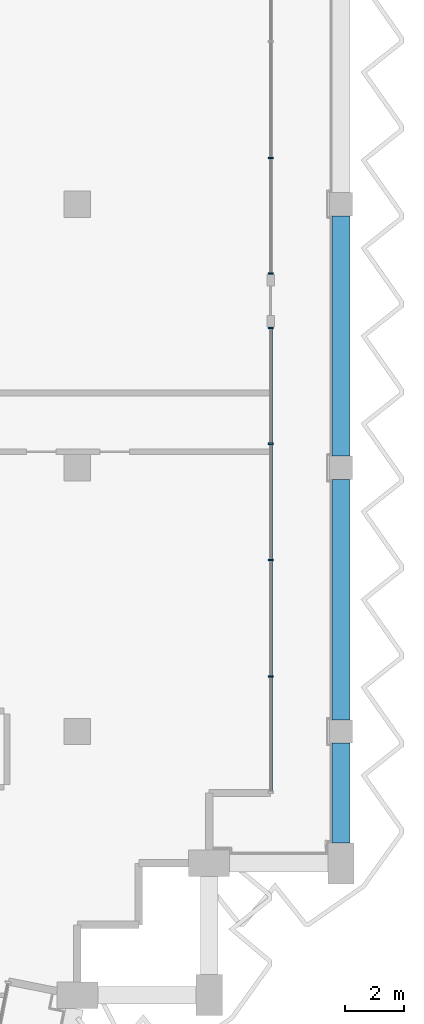
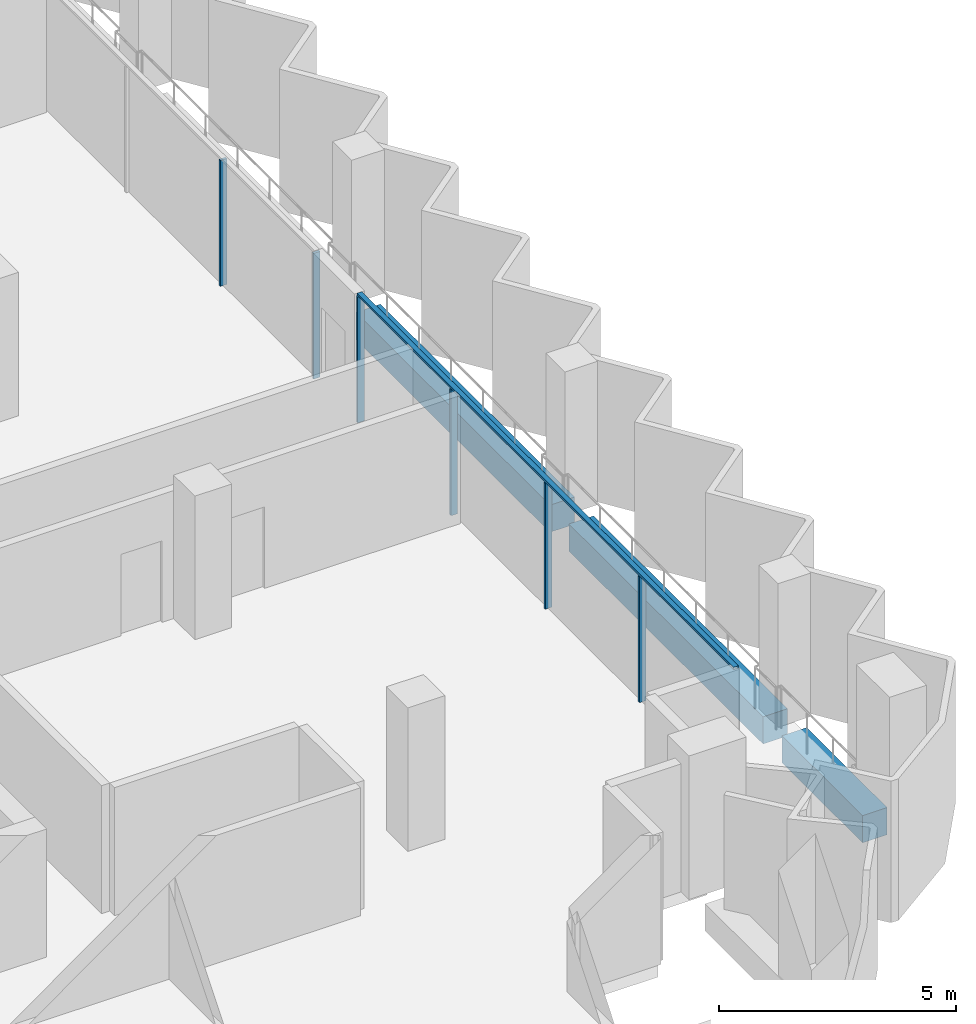
# One storey, part 4 of 14: 7 members, 3 beams, 2 elements without a shape of their own.
"""IFC4 building model written with IfcOpenShell, lengths in metres."""

import ifcopenshell
import ifcopenshell.guid

model = None  # the IFC model being written
_history = None  # IfcOwnerHistory: only IFC2X3 demands one
_inside = {}  # id of a spatial element -> (the spatial element, [elements in it])
_under = {}  # id of a project, library or spatial element -> (it, [spatial elements below it])
_declared = {}  # id of a project -> (the project, [libraries it declares])
_typed = {}  # id of a type object -> (the type object, [elements of that type])
_made_of = {}  # id of a material, layer set ... -> (it, [elements and type objects made of it])


def new_model(schema):
    """Start an empty IFC model of exactly this schema.

    Asked for "IFC4X3", IfcOpenShell would pick the latest addendum, in which some entities
    have other attributes; the version numbers below select the first issue.
    IFC2X3 requires an IfcOwnerHistory on every rooted entity: one is made here for all.
    """
    global model, _history
    if schema == "IFC4X3":
        model = ifcopenshell.file(schema_version=(4, 3, 0, 0))
    else:
        model = ifcopenshell.file(schema=schema)
    _inside.clear()
    _under.clear()
    _declared.clear()
    _typed.clear()
    _made_of.clear()
    _history = None
    if model.schema == "IFC2X3":
        org = make("IfcOrganization", Name="unknown")
        user = make(
            "IfcPersonAndOrganization",
            ThePerson=make("IfcPerson", FamilyName="unknown"),
            TheOrganization=org,
        )
        app = make(
            "IfcApplication",
            ApplicationDeveloper=org,
            Version="unknown",
            ApplicationFullName="unknown",
            ApplicationIdentifier="unknown",
        )
        _history = make(
            "IfcOwnerHistory",
            OwningUser=user,
            OwningApplication=app,
            ChangeAction="ADDED",
            CreationDate=0,
        )
    return model


def make(cls, **values):
    """One entity of the class cls with the attributes given. An attribute that is None is left unset."""
    return model.create_entity(
        cls, **{name: value for name, value in values.items() if value is not None}
    )


def rooted(cls, **values):
    """An entity with a GlobalId (a new one), such as an element, a storey or a relation."""
    return make(cls, GlobalId=ifcopenshell.guid.new(), OwnerHistory=_history, **values)


def si_unit(unit_type, name, prefix=None):
    """IfcSIUnit, for example si_unit("LENGTHUNIT", "METRE", prefix="MILLI")."""
    return make("IfcSIUnit", UnitType=unit_type, Prefix=prefix, Name=name)


def assignment(units):
    """IfcUnitAssignment: the units of a project."""
    return None if units is None else make("IfcUnitAssignment", Units=units)


def point(xyz):
    """IfcCartesianPoint."""
    return None if xyz is None else make("IfcCartesianPoint", Coordinates=xyz)


def direction(xyz):
    """IfcDirection."""
    return None if xyz is None else make("IfcDirection", DirectionRatios=xyz)


def frame(location, z_axis=None, x_axis=None):
    """IfcAxis2Placement3D, a coordinate frame: its origin and axes. An axis left out is left unset."""
    return make(
        "IfcAxis2Placement3D",
        Location=point(location),
        Axis=direction(z_axis),
        RefDirection=direction(x_axis),
    )


def frame_2d(location, x_axis=None):
    """IfcAxis2Placement2D, a coordinate frame in the plane: its origin and x axis."""
    return make(
        "IfcAxis2Placement2D", Location=point(location), RefDirection=direction(x_axis)
    )


def origin():
    """The frame at (0, 0, 0) with its axes left unset."""
    return frame((0.0, 0.0, 0.0))


def origin_2d():
    """The frame at (0, 0) in the plane with its x axis left unset."""
    return frame_2d((0.0, 0.0))


def place(relative_to, where):
    """IfcLocalPlacement: puts the frame where relative to a parent placement (None: the world)."""
    return make(
        "IfcLocalPlacement", PlacementRelTo=relative_to, RelativePlacement=where
    )


def context(
    kind, dimensions, precision=None, world=None, true_north=None, identifier=None
):
    """IfcGeometricRepresentationContext, for example the 3D "Model" context."""
    return make(
        "IfcGeometricRepresentationContext",
        ContextIdentifier=identifier,
        ContextType=kind,
        CoordinateSpaceDimension=dimensions,
        Precision=precision,
        WorldCoordinateSystem=world,
        TrueNorth=true_north,
    )


def subcontext(parent, identifier, kind, view, scale=None):
    """IfcGeometricRepresentationSubContext, for example "Body" below "Model"."""
    return make(
        "IfcGeometricRepresentationSubContext",
        ContextIdentifier=identifier,
        ContextType=kind,
        ParentContext=parent,
        TargetScale=scale,
        TargetView=view,
    )


def project(units=None, contexts=None):
    """IfcProject with its units and contexts."""
    return rooted(
        "IfcProject",
        Name="project",
        RepresentationContexts=contexts,
        UnitsInContext=assignment(units),
    )


def spatial(cls, under=None, at=None, **own):
    """A site, building, storey or space (cls), placed at a placement, below another one or the project."""
    s = rooted(cls, ObjectPlacement=at, **own)
    if under is not None:
        _under.setdefault(under.id(), (under, []))[1].append(s)
    return s


def profile(cls, at=None, kind="AREA", **sizes):
    """A parametric profile (cls). Its sizes go by their IFC names, for example OverallWidth=200.0."""
    return make(cls, ProfileType=kind, Position=at, **sizes)


def rectangle(**sizes):
    """IfcRectangleProfileDef."""
    return profile("IfcRectangleProfileDef", **sizes)


def extrude(swept, where, along, depth):
    """IfcExtrudedAreaSolid: the profile swept, set in the frame where, extruded along a direction by depth."""
    return make(
        "IfcExtrudedAreaSolid",
        SweptArea=swept,
        Position=where,
        ExtrudedDirection=direction(along),
        Depth=depth,
    )


def shape(context_of_items, identifier, shape_type, items):
    """IfcShapeRepresentation: the items that make up one representation, for example the "Body"."""
    return make(
        "IfcShapeRepresentation",
        ContextOfItems=context_of_items,
        RepresentationIdentifier=identifier,
        RepresentationType=shape_type,
        Items=items,
    )


def material(Name=None, Category=None):
    """IfcMaterial."""
    return make("IfcMaterial", Name=Name, Category=Category)


def material_profile(
    of_material, cross_section, Name=None, Category=None, Priority=None
):
    """IfcMaterialProfile: a cross section and its material."""
    return make(
        "IfcMaterialProfile",
        Name=Name,
        Material=of_material,
        Profile=cross_section,
        Priority=Priority,
        Category=Category,
    )


def profile_set(profiles, Name=None, composite=None):
    """IfcMaterialProfileSet."""
    return make(
        "IfcMaterialProfileSet",
        Name=Name,
        MaterialProfiles=profiles,
        CompositeProfile=composite,
    )


def made_of(thing, what):
    """Note that an element or type object is made of a material, layer set ...; save() writes the relation."""
    if what is not None:
        _made_of.setdefault(what.id(), (what, []))[1].append(thing)
    return thing


def type_object(cls, material=None, **own):
    """A type object (cls), such as IfcWallType, which elements share."""
    return made_of(rooted(cls, **own), material)


def element(
    cls,
    number,
    at=None,
    inside=None,
    cuts=None,
    type_object=None,
    material=None,
    context=None,
    identifier="Body",
    shape_type=None,
    held_by="IfcProductDefinitionShape",
    body=None,
    shapes=None,
    **own,
):
    """One element of the class cls, such as IfcWall. Its Tag is "e" and its number.

    at: its placement. inside: the storey or other place that contains it. cuts: it is an
    opening in that element (IfcRelVoidsElement). A single representation is given by context,
    identifier, shape_type and body (its items); several are given by shapes. held_by: the class
    of the entity that holds the representations. save() writes the other relations.
    """
    e = rooted(cls, Tag="e%d" % number, ObjectPlacement=at, **own)
    if body is not None:
        shapes = [shape(context, identifier, shape_type, body)]
    if shapes is not None:
        e.Representation = make(held_by, Representations=shapes)
    if inside is not None:
        _inside.setdefault(inside.id(), (inside, []))[1].append(e)
    if cuts is not None:
        rooted(
            "IfcRelVoidsElement", RelatingBuildingElement=cuts, RelatedOpeningElement=e
        )
    if type_object is not None:
        _typed.setdefault(type_object.id(), (type_object, []))[1].append(e)
    return made_of(e, material)


def aggregate(whole, parts):
    """IfcRelAggregates: a whole, such as a stair, and the parts it consists of."""
    return rooted("IfcRelAggregates", RelatingObject=whole, RelatedObjects=parts)


def save(model, path):
    """Write the relations noted so far, then the file.

    IfcRelAggregates (storeys below a building ...), IfcRelContainedInSpatialStructure (elements
    in a storey), IfcRelDefinesByType, IfcRelAssociatesMaterial and IfcRelDeclares: one each for
    every whole, place, type object, material and project.
    """
    for whole, parts in _under.values():
        aggregate(whole, parts)
    for where, things in _inside.values():
        rooted(
            "IfcRelContainedInSpatialStructure",
            RelatedElements=things,
            RelatingStructure=where,
        )
    for kind, things in _typed.values():
        rooted("IfcRelDefinesByType", RelatedObjects=things, RelatingType=kind)
    for what, things in _made_of.values():
        rooted("IfcRelAssociatesMaterial", RelatedObjects=things, RelatingMaterial=what)
    for by, libraries in _declared.values():
        rooted("IfcRelDeclares", RelatingContext=by, RelatedDefinitions=libraries)
    model.write(path)


model = new_model("IFC4")

# Units and contexts
model_context = context("Model", 3, precision=1e-05, world=origin(), true_north=direction((0.0, 1.0)))
body_context = subcontext(model_context, "Body", "Model", "MODEL_VIEW")
ifc_project = project(units=[si_unit("LENGTHUNIT", "METRE"), si_unit("AREAUNIT", "SQUARE_METRE"), si_unit("VOLUMEUNIT", "CUBIC_METRE"), si_unit("PLANEANGLEUNIT", "RADIAN"), si_unit("MASSUNIT", "GRAM", prefix="KILO")], contexts=[model_context])

# Site, building, storey
site_placement = place(None, origin())
site = spatial("IfcSite", under=ifc_project, at=site_placement, CompositionType="ELEMENT")
building_placement = place(site_placement, origin())
building = spatial("IfcBuilding", under=site, at=building_placement, Name="Hunhe Ridgeline Campus", CompositionType="ELEMENT")
storey_placement = place(building_placement, frame((0.0, 0.0, 295.60009765625)))
storey = spatial("IfcBuildingStorey", under=building, at=storey_placement, Name="L76", CompositionType="ELEMENT", Elevation=295.60009765625)

# Curtain wall, members
ifc_material_1 = material(Name="Aluminium 6063", Category="aluminium")
curtain_wall_type = type_object("IfcCurtainWallType", Name="Curtain wall CW-1", PredefinedType="NOTDEFINED", material=ifc_material_1)
curtain_wall_1_placement = place(storey_placement, origin())
curtain_wall_1 = element("IfcCurtainWall", 1, at=curtain_wall_1_placement, inside=storey, type_object=curtain_wall_type, Name="Curtain wall 11", PredefinedType="NOTDEFINED")
ifc_material_profile_1 = material_profile(ifc_material_1, rectangle(XDim=0.159912109375, YDim=0.06005859375, at=origin_2d()))
ifc_profile_set_1 = profile_set([ifc_material_profile_1], Name="Aluminium 6063")
member_type_1 = type_object("IfcMemberType", Name="CW-1 aluminium mullion", PredefinedType="MULLION", material=ifc_profile_set_1)
member_1_placement = place(storey_placement, frame((51.59912109375, 64.8759765625, 0.0), z_axis=(0.0, 0.0, 1.0), x_axis=(-1.0, 0.0, 0.0)))
member_1 = element("IfcMember", 2, at=member_1_placement, type_object=member_type_1, Name="CW-1 mullion 2", PredefinedType="MULLION", context=body_context, shape_type="SweptSolid", body=[
    extrude(rectangle(XDim=0.159912109375, YDim=0.06005859375, at=origin_2d()), origin(), (0.0, 0.0, 1.0), 3.239990234375),
])
member_2_placement = place(storey_placement, frame((51.59912109375, 68.850830078125, 0.0), z_axis=(0.0, 0.0, 1.0), x_axis=(-1.0, 0.0, 0.0)))
member_2 = element("IfcMember", 3, at=member_2_placement, type_object=member_type_1, Name="CW-1 mullion 3", PredefinedType="MULLION", context=body_context, shape_type="SweptSolid", body=[
    extrude(rectangle(XDim=0.159912109375, YDim=0.06005859375, at=origin_2d()), origin(), (0.0, 0.0, 1.0), 3.239990234375),
])
member_3_placement = place(storey_placement, frame((51.59912109375, 72.82568359375, 0.0), z_axis=(0.0, 0.0, 1.0), x_axis=(-1.0, 0.0, 0.0)))
member_3 = element("IfcMember", 4, at=member_3_placement, type_object=member_type_1, Name="CW-1 mullion 4", PredefinedType="MULLION", context=body_context, shape_type="SweptSolid", body=[
    extrude(rectangle(XDim=0.159912109375, YDim=0.06005859375, at=origin_2d()), origin(), (0.0, 0.0, 1.0), 3.239990234375),
])
member_4_placement = place(storey_placement, frame((51.59912109375, 76.7705078125, 0.0), z_axis=(0.0, 0.0, 1.0), x_axis=(-1.0, 0.0, 0.0)))
member_4 = element("IfcMember", 5, at=member_4_placement, type_object=member_type_1, Name="CW-1 mullion 5", PredefinedType="MULLION", context=body_context, shape_type="SweptSolid", body=[
    extrude(rectangle(XDim=0.159912109375, YDim=0.06005859375, at=origin_2d()), origin(), (0.0, 0.0, 1.0), 3.239990234375),
])

curtain_wall_2_placement = place(storey_placement, origin())
curtain_wall_2 = element("IfcCurtainWall", 6, at=curtain_wall_2_placement, inside=storey, type_object=curtain_wall_type, Name="Curtain wall 12", PredefinedType="NOTDEFINED")
member_5_placement = place(storey_placement, frame((51.59912109375, 78.630615234375, 0.0), z_axis=(0.0, 0.0, 1.0), x_axis=(-1.0, 0.0, 0.0)))
member_5 = element("IfcMember", 7, at=member_5_placement, type_object=member_type_1, Name="CW-1 mullion 1", PredefinedType="MULLION", context=body_context, shape_type="SweptSolid", body=[
    extrude(rectangle(XDim=0.159912109375, YDim=0.06005859375, at=origin_2d()), origin(), (0.0, 0.0, 1.0), 3.239990234375),
])
member_6_placement = place(storey_placement, frame((51.59912109375, 82.575439453125, 0.0), z_axis=(0.0, 0.0, 1.0), x_axis=(-1.0, 0.0, 0.0)))
member_6 = element("IfcMember", 8, at=member_6_placement, type_object=member_type_1, Name="CW-1 mullion 2", PredefinedType="MULLION", context=body_context, shape_type="SweptSolid", body=[
    extrude(rectangle(XDim=0.159912109375, YDim=0.06005859375, at=origin_2d()), origin(), (0.0, 0.0, 1.0), 3.239990234375),
])
aggregate(curtain_wall_2, [member_5, member_6])

# Member
ifc_material_profile_2 = material_profile(ifc_material_1, rectangle(XDim=0.1201171875, YDim=0.06005859375, at=origin_2d()))
ifc_profile_set_2 = profile_set([ifc_material_profile_2], Name="Aluminium 6063")
member_type_2 = type_object("IfcMemberType", Name="CW-1 aluminium transom", PredefinedType="USERDEFINED", material=ifc_profile_set_2)
member_7_placement = place(storey_placement, frame((51.59912109375, 60.90087890625, 3.27001953125), z_axis=(0.0, 1.0, 0.0), x_axis=(-1.0, 0.0, 0.0)))
member_7 = element("IfcMember", 9, at=member_7_placement, type_object=member_type_2, Name="CW-1 transom 1", ObjectType="TRANSOM", PredefinedType="USERDEFINED", context=body_context, shape_type="SweptSolid", body=[
    extrude(rectangle(XDim=0.1201171875, YDim=0.06005859375, at=origin_2d()), origin(), (0.0, 0.0, 1.0), 15.899658203125),
])

aggregate(curtain_wall_1, [member_7, member_1, member_2, member_3, member_4])

# Beams
ifc_material_2 = material(Name="Concrete C50", Category="concrete")
ifc_material_profile_3 = material_profile(ifc_material_2, rectangle(XDim=0.60009765625, YDim=0.699951171875, at=origin_2d()))
ifc_profile_set_3 = profile_set([ifc_material_profile_3], Name="Concrete C50")
beam_type = type_object("IfcBeamType", Name="RC spandrel beam 600x700 Concrete C50", PredefinedType="SPANDREL", material=ifc_profile_set_3)
beam_placement = place(storey_placement, frame((54.0, 59.199951171875, -0.60009765625), z_axis=(0.0, 1.0, 0.0), x_axis=(-1.0, 0.0, 0.0)))
element("IfcBeam", 10, at=beam_placement, inside=storey, type_object=beam_type, Name="Spandrel beam B4-12 L76", PredefinedType="SPANDREL", context=body_context, shape_type="SweptSolid", body=[
    extrude(rectangle(XDim=0.60009765625, YDim=0.699951171875, at=origin_2d()), origin(), (0.0, 0.0, 1.0), 3.400146484375),
])
for number, where, z_axis, x_axis, name in (
    (11, (54.0, 63.39990234375, -0.60009765625), (0.0, 1.0, 0.0), (-1.0, 0.0, 0.0), "Spandrel beam B4-13 L76"),
    (12, (54.0, 72.39990234375, -0.60009765625), (0.0, 1.0, 0.0), (-1.0, 0.0, 0.0), "Spandrel beam B4-14 L76"),
):
    element("IfcBeam", number, at=place(storey_placement, frame(where, z_axis=z_axis, x_axis=x_axis)), inside=storey, type_object=beam_type, Name=name, PredefinedType="SPANDREL", context=body_context, shape_type="SweptSolid", body=[
        extrude(rectangle(XDim=0.60009765625, YDim=0.699951171875, at=origin_2d()), origin(), (0.0, 0.0, 1.0), 8.2001953125),
    ])

save(model, "model.ifc")
